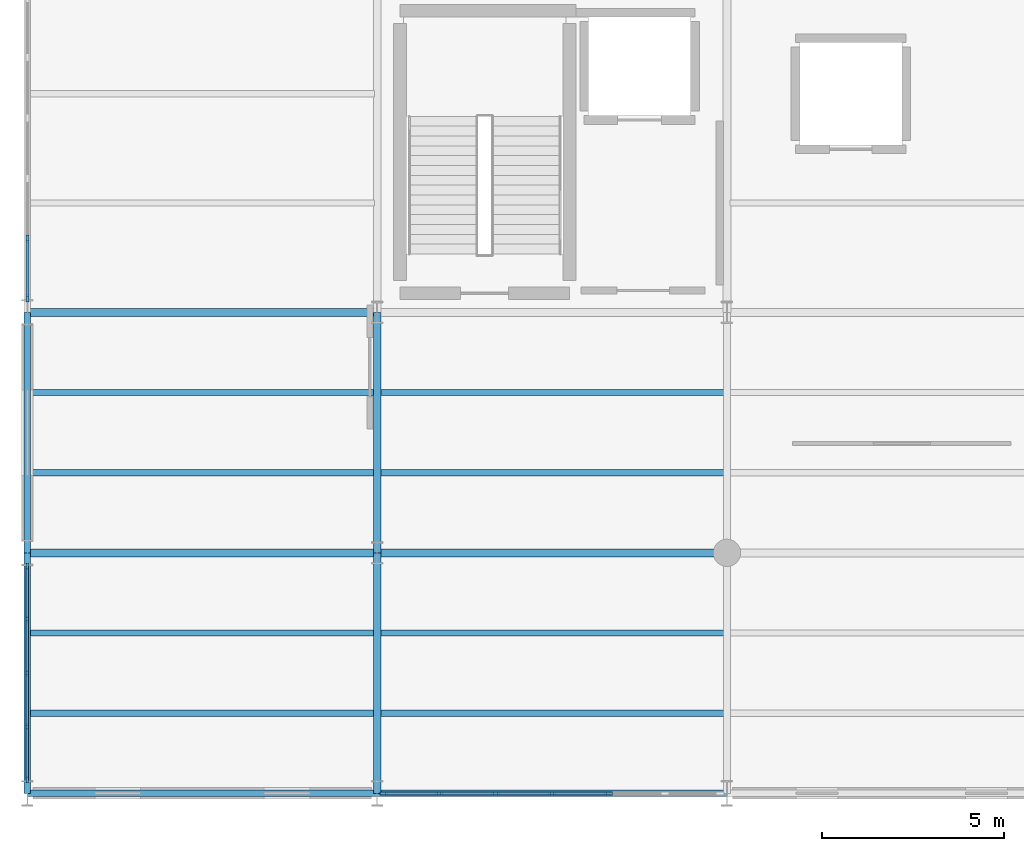
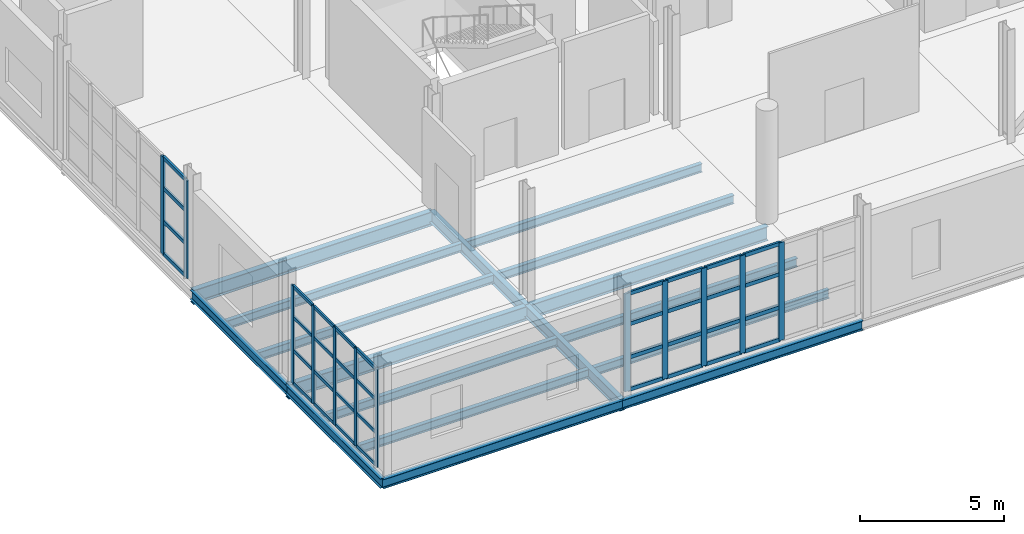
# One storey, part 15 of 120: 48 members, 17 beams, 3 elements without a shape of their own.
"""IFC4 building model written with IfcOpenShell, lengths in metres."""

from ifc_helpers import new_model, si_unit, direction, frame, origin, origin_2d, place, context, subcontext, project, spatial, rectangle, i_section, extrude, material, layer, layer_set, material_profile, profile_set, type_object, element, aggregate, save


model = new_model("IFC4")

# Units and contexts
model_context = context("Model", 3, precision=1e-05, world=origin(), true_north=direction((0.0, 1.0)))
body_context = subcontext(model_context, "Body", "Model", "MODEL_VIEW")
ifc_project = project(units=[si_unit("LENGTHUNIT", "METRE"), si_unit("AREAUNIT", "SQUARE_METRE"), si_unit("VOLUMEUNIT", "CUBIC_METRE"), si_unit("PLANEANGLEUNIT", "RADIAN"), si_unit("MASSUNIT", "GRAM", prefix="KILO")], contexts=[model_context])

# Site, building, storey
site_placement = place(None, origin())
site = spatial("IfcSite", under=ifc_project, at=site_placement, CompositionType="ELEMENT")
building_placement = place(site_placement, origin())
building = spatial("IfcBuilding", under=site, at=building_placement, Name="Zarnetskaya Central Station", CompositionType="ELEMENT")
storey_placement = place(building_placement, frame((0.0, 0.0, 5.39990234375)))
storey = spatial("IfcBuildingStorey", under=building, at=storey_placement, Name="L01", CompositionType="ELEMENT", Elevation=5.39990234375)

# Beams
ifc_material_1 = material(Name="Steel S355", Category="steel")
ifc_material_profile_1 = material_profile(ifc_material_1, i_section(OverallWidth=0.169921875, OverallDepth=0.360107421875, WebThickness=0.008056640625, FlangeThickness=0.0126953125, FilletRadius=0.01806640625, at=origin_2d()), Name="IPE 360")
ifc_profile_set_1 = profile_set([ifc_material_profile_1], Name="Steel S355")
beam_type_1 = type_object("IfcBeamType", Name="BM-SEC-360", PredefinedType="BEAM", material=ifc_profile_set_1)
for number, where, z_axis, x_axis, name in (
    (1, (0.080078125, 2.199951171875, -0.4599609375), (1.0, 0.0, 0.0), (0.0, 1.0, 0.0), "Secondary floor beam SEC-L01-Z512-AB-12-1"),
    (2, (0.080078125, 4.39990234375, -0.4599609375), (1.0, 0.0, 0.0), (0.0, 1.0, 0.0), "Secondary floor beam SEC-L01-Z512-AB-12-2"),
    (3, (0.080078125, 8.800048828125, -0.4599609375), (1.0, 0.0, 0.0), (0.0, 1.0, 0.0), "Secondary floor beam SEC-L01-Z512-AB-23-1"),
    (4, (0.080078125, 11.0, -0.4599609375), (1.0, 0.0, 0.0), (0.0, 1.0, 0.0), "Secondary floor beam SEC-L01-Z512-AB-23-2"),
):
    element("IfcBeam", number, at=place(storey_placement, frame(where, z_axis=z_axis, x_axis=x_axis)), inside=storey, type_object=beam_type_1, Name=name, PredefinedType="BEAM", context=body_context, shape_type="SweptSolid", body=[
        extrude(i_section(OverallWidth=0.169921875, OverallDepth=0.360107421875, WebThickness=0.008056640625, FlangeThickness=0.0126953125, FilletRadius=0.01806640625, at=origin_2d()), origin(), (0.0, 0.0, 1.0), 9.43994140625),
    ])
for number, where, z_axis, x_axis, name in (
    (5, (9.679931640625, 2.199951171875, -0.4599609375), (1.0, 0.0, 0.0), (0.0, 1.0, 0.0), "Secondary floor beam SEC-L01-Z512-BC-12-1"),
    (6, (9.679931640625, 4.39990234375, -0.4599609375), (1.0, 0.0, 0.0), (0.0, 1.0, 0.0), "Secondary floor beam SEC-L01-Z512-BC-12-2"),
    (7, (9.679931640625, 8.800048828125, -0.4599609375), (1.0, 0.0, 0.0), (0.0, 1.0, 0.0), "Secondary floor beam SEC-L01-Z512-BC-23-1"),
    (8, (9.679931640625, 11.0, -0.4599609375), (1.0, 0.0, 0.0), (0.0, 1.0, 0.0), "Secondary floor beam SEC-L01-Z512-BC-23-2"),
):
    element("IfcBeam", number, at=place(storey_placement, frame(where, z_axis=z_axis, x_axis=x_axis)), inside=storey, type_object=beam_type_1, Name=name, PredefinedType="BEAM", context=body_context, shape_type="SweptSolid", body=[
        extrude(i_section(OverallWidth=0.169921875, OverallDepth=0.360107421875, WebThickness=0.008056640625, FlangeThickness=0.0126953125, FilletRadius=0.01806640625, at=origin_2d()), origin(), (0.0, 0.0, 1.0), 9.440185546875),
    ])
ifc_material_profile_2 = material_profile(ifc_material_1, i_section(OverallWidth=0.179931640625, OverallDepth=0.39990234375, WebThickness=0.008544921875, FlangeThickness=0.013427734375, FilletRadius=0.02099609375, at=origin_2d()), Name="IPE 400")
ifc_profile_set_2 = profile_set([ifc_material_profile_2], Name="Steel S355")
beam_type_2 = type_object("IfcBeamType", Name="BM-SPN-V5", PredefinedType="SPANDREL", material=ifc_profile_set_2)
beam_1_placement = place(storey_placement, frame((0.0, 0.0, -0.47998046875), z_axis=(0.0, 1.0, 0.0), x_axis=(-1.0, 0.0, 0.0)))
element("IfcBeam", 9, at=beam_1_placement, inside=storey, type_object=beam_type_2, Name="Grid girder GY-L01-A-12", PredefinedType="SPANDREL", context=body_context, shape_type="SweptSolid", body=[
    extrude(i_section(OverallWidth=0.179931640625, OverallDepth=0.39990234375, WebThickness=0.008544921875, FlangeThickness=0.013427734375, FilletRadius=0.02099609375, at=origin_2d()), origin(), (0.0, 0.0, 1.0), 6.60009765625),
])
beam_2_placement = place(storey_placement, frame((0.0, 0.0, -0.47998046875), z_axis=(1.0, 0.0, 0.0), x_axis=(0.0, 1.0, 0.0)))
element("IfcBeam", 10, at=beam_2_placement, inside=storey, type_object=beam_type_2, Name="Grid girder GX-L01-1-AB", PredefinedType="SPANDREL", context=body_context, shape_type="SweptSolid", body=[
    extrude(i_section(OverallWidth=0.179931640625, OverallDepth=0.39990234375, WebThickness=0.008544921875, FlangeThickness=0.013427734375, FilletRadius=0.02099609375, at=origin_2d()), origin(), (0.0, 0.0, 1.0), 9.60009765625),
])
beam_3_placement = place(storey_placement, frame((0.0, 6.60009765625, -0.47998046875), z_axis=(0.0, 1.0, 0.0), x_axis=(-1.0, 0.0, 0.0)))
element("IfcBeam", 11, at=beam_3_placement, inside=storey, type_object=beam_type_2, Name="Grid girder GY-L01-A-23", PredefinedType="SPANDREL", context=body_context, shape_type="SweptSolid", body=[
    extrude(i_section(OverallWidth=0.179931640625, OverallDepth=0.39990234375, WebThickness=0.008544921875, FlangeThickness=0.013427734375, FilletRadius=0.02099609375, at=origin_2d()), origin(), (0.0, 0.0, 1.0), 6.599853515625),
])
beam_4_placement = place(storey_placement, frame((9.60009765625, 0.0, -0.47998046875), z_axis=(1.0, 0.0, 0.0), x_axis=(0.0, 1.0, 0.0)))
element("IfcBeam", 12, at=beam_4_placement, inside=storey, type_object=beam_type_2, Name="Grid girder GX-L01-1-BC", PredefinedType="SPANDREL", context=body_context, shape_type="SweptSolid", body=[
    extrude(i_section(OverallWidth=0.179931640625, OverallDepth=0.39990234375, WebThickness=0.008544921875, FlangeThickness=0.013427734375, FilletRadius=0.02099609375, at=origin_2d()), origin(), (0.0, 0.0, 1.0), 9.599853515625),
])

# Curtain wall, members
ifc_material_2 = material(Name="Low-E insulated glass", Category="glass")
ifc_layer_1 = layer(ifc_material_2, 0.16796875, Name="Low-E insulated glass", Category="glass")
ifc_layer_set_1 = layer_set([ifc_layer_1], Name="Low-E insulated glass")
curtain_wall_type_1 = type_object("IfcCurtainWallType", Name="CW-SYS-03", PredefinedType="USERDEFINED", material=ifc_layer_set_1)
curtain_wall_1_placement = place(storey_placement, origin())
curtain_wall_1 = element("IfcCurtainWall", 13, at=curtain_wall_1_placement, inside=storey, type_object=curtain_wall_type_1, Name="Curtain wall CW-L01-001", ObjectType="CURTAIN WALL", PredefinedType="USERDEFINED")
ifc_material_3 = material(Name="Anodised aluminium", Category="aluminium")
ifc_material_profile_3 = material_profile(ifc_material_3, rectangle(XDim=0.070068359375, YDim=0.179931640625, at=origin_2d()), Name="ALU MULL 70x180")
ifc_profile_set_3 = profile_set([ifc_material_profile_3], Name="Anodised aluminium")
member_type_1 = type_object("IfcMemberType", Name="CW-MULL-180", PredefinedType="MULLION", material=ifc_profile_set_3)
member_1_placement = place(storey_placement, frame((0.0, 0.385009765625, 0.0), z_axis=(0.0, 0.0, 1.0), x_axis=(-1.0, 0.0, 0.0)))
member_1 = element("IfcMember", 14, at=member_1_placement, type_object=member_type_1, Name="CW-12 mullion 1", PredefinedType="MULLION", context=body_context, shape_type="SweptSolid", body=[
    extrude(rectangle(XDim=0.070068359375, YDim=0.179931640625, at=origin_2d()), origin(), (0.0, 0.0, 1.0), 4.14013671875),
])
member_2_placement = place(storey_placement, frame((0.0, 1.824951171875, 0.0), z_axis=(0.0, 0.0, 1.0), x_axis=(-1.0, 0.0, 0.0)))
member_2 = element("IfcMember", 15, at=member_2_placement, type_object=member_type_1, Name="CW-12 mullion 2", PredefinedType="MULLION", context=body_context, shape_type="SweptSolid", body=[
    extrude(rectangle(XDim=0.070068359375, YDim=0.179931640625, at=origin_2d()), origin(), (0.0, 0.0, 1.0), 4.14013671875),
])
member_3_placement = place(storey_placement, frame((0.0, 3.300048828125, 0.0), z_axis=(0.0, 0.0, 1.0), x_axis=(-1.0, 0.0, 0.0)))
member_3 = element("IfcMember", 16, at=member_3_placement, type_object=member_type_1, Name="CW-12 mullion 3", PredefinedType="MULLION", context=body_context, shape_type="SweptSolid", body=[
    extrude(rectangle(XDim=0.070068359375, YDim=0.179931640625, at=origin_2d()), origin(), (0.0, 0.0, 1.0), 4.14013671875),
])
member_4_placement = place(storey_placement, frame((0.0, 4.77490234375, 0.0), z_axis=(0.0, 0.0, 1.0), x_axis=(-1.0, 0.0, 0.0)))
member_4 = element("IfcMember", 17, at=member_4_placement, type_object=member_type_1, Name="CW-12 mullion 4", PredefinedType="MULLION", context=body_context, shape_type="SweptSolid", body=[
    extrude(rectangle(XDim=0.070068359375, YDim=0.179931640625, at=origin_2d()), origin(), (0.0, 0.0, 1.0), 4.14013671875),
])
member_5_placement = place(storey_placement, frame((0.0, 6.215087890625, 0.0), z_axis=(0.0, 0.0, 1.0), x_axis=(-1.0, 0.0, 0.0)))
member_5 = element("IfcMember", 18, at=member_5_placement, type_object=member_type_1, Name="CW-12 mullion 5", PredefinedType="MULLION", context=body_context, shape_type="SweptSolid", body=[
    extrude(rectangle(XDim=0.070068359375, YDim=0.179931640625, at=origin_2d()), origin(), (0.0, 0.0, 1.0), 4.14013671875),
])

ifc_layer_2 = layer(ifc_material_2, 0.176025390625, Name="Low-E insulated glass", Category="glass")
ifc_layer_set_2 = layer_set([ifc_layer_2], Name="Low-E insulated glass")
curtain_wall_type_2 = type_object("IfcCurtainWallType", Name="CW-SYS-05", PredefinedType="USERDEFINED", material=ifc_layer_set_2)
curtain_wall_2_placement = place(storey_placement, origin())
curtain_wall_2 = element("IfcCurtainWall", 19, at=curtain_wall_2_placement, inside=storey, type_object=curtain_wall_type_2, Name="Curtain wall CW-L01-002", ObjectType="CURTAIN WALL", PredefinedType="USERDEFINED")
ifc_material_profile_4 = material_profile(ifc_material_3, rectangle(XDim=0.080078125, YDim=0.219970703125, at=origin_2d()), Name="ALU MULL 80x220")
ifc_profile_set_4 = profile_set([ifc_material_profile_4], Name="Anodised aluminium")
member_type_2 = type_object("IfcMemberType", Name="CW-MULL-220", PredefinedType="MULLION", material=ifc_profile_set_4)
member_6_placement = place(storey_placement, frame((0.0, 13.590087890625, 0.0), z_axis=(0.0, 0.0, 1.0), x_axis=(-1.0, 0.0, 0.0)))
member_6 = element("IfcMember", 20, at=member_6_placement, type_object=member_type_2, Name="CW-14 mullion 1", PredefinedType="MULLION", context=body_context, shape_type="SweptSolid", body=[
    extrude(rectangle(XDim=0.080078125, YDim=0.219970703125, at=origin_2d()), origin(), (0.0, 0.0, 1.0), 4.14013671875),
])
member_7_placement = place(storey_placement, frame((0.0, 15.2099609375, 0.0), z_axis=(0.0, 0.0, 1.0), x_axis=(-1.0, 0.0, 0.0)))
member_7 = element("IfcMember", 21, at=member_7_placement, type_object=member_type_2, Name="CW-14 mullion 2", PredefinedType="MULLION", context=body_context, shape_type="SweptSolid", body=[
    extrude(rectangle(XDim=0.080078125, YDim=0.219970703125, at=origin_2d()), origin(), (0.0, 0.0, 1.0), 4.14013671875),
])

ifc_layer_3 = layer(ifc_material_2, 0.1640625, Name="Low-E insulated glass", Category="glass")
ifc_layer_set_3 = layer_set([ifc_layer_3], Name="Low-E insulated glass")
curtain_wall_type_3 = type_object("IfcCurtainWallType", Name="CW-SYS-07", PredefinedType="USERDEFINED", material=ifc_layer_set_3)
curtain_wall_3_placement = place(storey_placement, origin())
curtain_wall_3 = element("IfcCurtainWall", 22, at=curtain_wall_3_placement, inside=storey, type_object=curtain_wall_type_3, Name="Curtain wall CW-L01-014", ObjectType="CURTAIN WALL", PredefinedType="USERDEFINED")
member_8_placement = place(storey_placement, frame((15.949951171875, 0.0, 0.0), z_axis=(0.0, 0.0, 1.0), x_axis=(0.0, -1.0, 0.0)))
member_8 = element("IfcMember", 23, at=member_8_placement, type_object=member_type_2, Name="CW-06 mullion 3", PredefinedType="MULLION", context=body_context, shape_type="SweptSolid", body=[
    extrude(rectangle(XDim=0.080078125, YDim=0.219970703125, at=origin_2d()), origin(), (0.0, 0.0, 1.0), 4.14013671875),
])
member_9_placement = place(storey_placement, frame((14.39990234375, 0.0, 0.0), z_axis=(0.0, 0.0, 1.0), x_axis=(0.0, -1.0, 0.0)))
member_9 = element("IfcMember", 24, at=member_9_placement, type_object=member_type_2, Name="CW-06 mullion 4", PredefinedType="MULLION", context=body_context, shape_type="SweptSolid", body=[
    extrude(rectangle(XDim=0.080078125, YDim=0.219970703125, at=origin_2d()), origin(), (0.0, 0.0, 1.0), 4.14013671875),
])
member_10_placement = place(storey_placement, frame((12.85009765625, 0.0, 0.0), z_axis=(0.0, 0.0, 1.0), x_axis=(0.0, -1.0, 0.0)))
member_10 = element("IfcMember", 25, at=member_10_placement, type_object=member_type_2, Name="CW-06 mullion 5", PredefinedType="MULLION", context=body_context, shape_type="SweptSolid", body=[
    extrude(rectangle(XDim=0.080078125, YDim=0.219970703125, at=origin_2d()), origin(), (0.0, 0.0, 1.0), 4.14013671875),
])
member_11_placement = place(storey_placement, frame((11.300048828125, 0.0, 0.0), z_axis=(0.0, 0.0, 1.0), x_axis=(0.0, -1.0, 0.0)))
member_11 = element("IfcMember", 26, at=member_11_placement, type_object=member_type_2, Name="CW-06 mullion 6", PredefinedType="MULLION", context=body_context, shape_type="SweptSolid", body=[
    extrude(rectangle(XDim=0.080078125, YDim=0.219970703125, at=origin_2d()), origin(), (0.0, 0.0, 1.0), 4.14013671875),
])
member_12_placement = place(storey_placement, frame((9.7900390625, 0.0, 0.0), z_axis=(0.0, 0.0, 1.0), x_axis=(0.0, -1.0, 0.0)))
member_12 = element("IfcMember", 27, at=member_12_placement, type_object=member_type_2, Name="CW-06 mullion 7", PredefinedType="MULLION", context=body_context, shape_type="SweptSolid", body=[
    extrude(rectangle(XDim=0.080078125, YDim=0.219970703125, at=origin_2d()), origin(), (0.0, 0.0, 1.0), 4.14013671875),
])

# Member
ifc_material_profile_5 = material_profile(ifc_material_3, rectangle(XDim=0.070068359375, YDim=0.139892578125, at=origin_2d()), Name="ALU TRAN 70x140")
ifc_profile_set_5 = profile_set([ifc_material_profile_5], Name="Anodised aluminium")
member_type_3 = type_object("IfcMemberType", Name="CW-TRAN-140", PredefinedType="USERDEFINED", material=ifc_profile_set_5)
member_13_placement = place(storey_placement, frame((0.0, 0.419921875, 0.03515625), z_axis=(0.0, 1.0, 0.0), x_axis=(-1.0, 0.0, 0.0)))
member_13 = element("IfcMember", 28, at=member_13_placement, type_object=member_type_3, Name="CW-12 transom 1.1", ObjectType="TRANSOM", PredefinedType="USERDEFINED", context=body_context, shape_type="SweptSolid", body=[
    extrude(rectangle(XDim=0.070068359375, YDim=0.139892578125, at=origin_2d()), origin(), (0.0, 0.0, 1.0), 1.3701171875),
])

member_14_placement = place(storey_placement, frame((0.0, 0.419921875, 1.408203125), z_axis=(0.0, 1.0, 0.0), x_axis=(-1.0, 0.0, 0.0)))
member_14 = element("IfcMember", 29, at=member_14_placement, type_object=member_type_3, Name="CW-12 transom 1.2", ObjectType="TRANSOM", PredefinedType="USERDEFINED", context=body_context, shape_type="SweptSolid", body=[
    extrude(rectangle(XDim=0.070068359375, YDim=0.139892578125, at=origin_2d()), origin(), (0.0, 0.0, 1.0), 1.3701171875),
])

member_15_placement = place(storey_placement, frame((0.0, 0.419921875, 2.815185546875), z_axis=(0.0, 1.0, 0.0), x_axis=(-1.0, 0.0, 0.0)))
member_15 = element("IfcMember", 30, at=member_15_placement, type_object=member_type_3, Name="CW-12 transom 1.3", ObjectType="TRANSOM", PredefinedType="USERDEFINED", context=body_context, shape_type="SweptSolid", body=[
    extrude(rectangle(XDim=0.070068359375, YDim=0.139892578125, at=origin_2d()), origin(), (0.0, 0.0, 1.0), 1.3701171875),
])

member_16_placement = place(storey_placement, frame((0.0, 0.419921875, 4.10498046875), z_axis=(0.0, 1.0, 0.0), x_axis=(-1.0, 0.0, 0.0)))
member_16 = element("IfcMember", 31, at=member_16_placement, type_object=member_type_3, Name="CW-12 transom 1.4", ObjectType="TRANSOM", PredefinedType="USERDEFINED", context=body_context, shape_type="SweptSolid", body=[
    extrude(rectangle(XDim=0.070068359375, YDim=0.139892578125, at=origin_2d()), origin(), (0.0, 0.0, 1.0), 1.3701171875),
])

member_17_placement = place(storey_placement, frame((0.0, 1.860107421875, 0.03515625), z_axis=(0.0, 1.0, 0.0), x_axis=(-1.0, 0.0, 0.0)))
member_17 = element("IfcMember", 32, at=member_17_placement, type_object=member_type_3, Name="CW-12 transom 2.1", ObjectType="TRANSOM", PredefinedType="USERDEFINED", context=body_context, shape_type="SweptSolid", body=[
    extrude(rectangle(XDim=0.070068359375, YDim=0.139892578125, at=origin_2d()), origin(), (0.0, 0.0, 1.0), 1.40478515625),
])

member_18_placement = place(storey_placement, frame((0.0, 1.860107421875, 1.408203125), z_axis=(0.0, 1.0, 0.0), x_axis=(-1.0, 0.0, 0.0)))
member_18 = element("IfcMember", 33, at=member_18_placement, type_object=member_type_3, Name="CW-12 transom 2.2", ObjectType="TRANSOM", PredefinedType="USERDEFINED", context=body_context, shape_type="SweptSolid", body=[
    extrude(rectangle(XDim=0.070068359375, YDim=0.139892578125, at=origin_2d()), origin(), (0.0, 0.0, 1.0), 1.40478515625),
])

member_19_placement = place(storey_placement, frame((0.0, 1.860107421875, 2.815185546875), z_axis=(0.0, 1.0, 0.0), x_axis=(-1.0, 0.0, 0.0)))
member_19 = element("IfcMember", 34, at=member_19_placement, type_object=member_type_3, Name="CW-12 transom 2.3", ObjectType="TRANSOM", PredefinedType="USERDEFINED", context=body_context, shape_type="SweptSolid", body=[
    extrude(rectangle(XDim=0.070068359375, YDim=0.139892578125, at=origin_2d()), origin(), (0.0, 0.0, 1.0), 1.40478515625),
])

member_20_placement = place(storey_placement, frame((0.0, 1.860107421875, 4.10498046875), z_axis=(0.0, 1.0, 0.0), x_axis=(-1.0, 0.0, 0.0)))
member_20 = element("IfcMember", 35, at=member_20_placement, type_object=member_type_3, Name="CW-12 transom 2.4", ObjectType="TRANSOM", PredefinedType="USERDEFINED", context=body_context, shape_type="SweptSolid", body=[
    extrude(rectangle(XDim=0.070068359375, YDim=0.139892578125, at=origin_2d()), origin(), (0.0, 0.0, 1.0), 1.40478515625),
])

member_21_placement = place(storey_placement, frame((0.0, 3.3349609375, 0.03515625), z_axis=(0.0, 1.0, 0.0), x_axis=(-1.0, 0.0, 0.0)))
member_21 = element("IfcMember", 36, at=member_21_placement, type_object=member_type_3, Name="CW-12 transom 3.1", ObjectType="TRANSOM", PredefinedType="USERDEFINED", context=body_context, shape_type="SweptSolid", body=[
    extrude(rectangle(XDim=0.070068359375, YDim=0.139892578125, at=origin_2d()), origin(), (0.0, 0.0, 1.0), 1.405029296875),
])

member_22_placement = place(storey_placement, frame((0.0, 3.3349609375, 1.408203125), z_axis=(0.0, 1.0, 0.0), x_axis=(-1.0, 0.0, 0.0)))
member_22 = element("IfcMember", 37, at=member_22_placement, type_object=member_type_3, Name="CW-12 transom 3.2", ObjectType="TRANSOM", PredefinedType="USERDEFINED", context=body_context, shape_type="SweptSolid", body=[
    extrude(rectangle(XDim=0.070068359375, YDim=0.139892578125, at=origin_2d()), origin(), (0.0, 0.0, 1.0), 1.405029296875),
])

member_23_placement = place(storey_placement, frame((0.0, 3.3349609375, 2.815185546875), z_axis=(0.0, 1.0, 0.0), x_axis=(-1.0, 0.0, 0.0)))
member_23 = element("IfcMember", 38, at=member_23_placement, type_object=member_type_3, Name="CW-12 transom 3.3", ObjectType="TRANSOM", PredefinedType="USERDEFINED", context=body_context, shape_type="SweptSolid", body=[
    extrude(rectangle(XDim=0.070068359375, YDim=0.139892578125, at=origin_2d()), origin(), (0.0, 0.0, 1.0), 1.405029296875),
])

member_24_placement = place(storey_placement, frame((0.0, 3.3349609375, 4.10498046875), z_axis=(0.0, 1.0, 0.0), x_axis=(-1.0, 0.0, 0.0)))
member_24 = element("IfcMember", 39, at=member_24_placement, type_object=member_type_3, Name="CW-12 transom 3.4", ObjectType="TRANSOM", PredefinedType="USERDEFINED", context=body_context, shape_type="SweptSolid", body=[
    extrude(rectangle(XDim=0.070068359375, YDim=0.139892578125, at=origin_2d()), origin(), (0.0, 0.0, 1.0), 1.405029296875),
])

member_25_placement = place(storey_placement, frame((0.0, 4.81005859375, 0.03515625), z_axis=(0.0, 1.0, 0.0), x_axis=(-1.0, 0.0, 0.0)))
member_25 = element("IfcMember", 40, at=member_25_placement, type_object=member_type_3, Name="CW-12 transom 4.1", ObjectType="TRANSOM", PredefinedType="USERDEFINED", context=body_context, shape_type="SweptSolid", body=[
    extrude(rectangle(XDim=0.070068359375, YDim=0.139892578125, at=origin_2d()), origin(), (0.0, 0.0, 1.0), 1.369873046875),
])

member_26_placement = place(storey_placement, frame((0.0, 4.81005859375, 1.408203125), z_axis=(0.0, 1.0, 0.0), x_axis=(-1.0, 0.0, 0.0)))
member_26 = element("IfcMember", 41, at=member_26_placement, type_object=member_type_3, Name="CW-12 transom 4.2", ObjectType="TRANSOM", PredefinedType="USERDEFINED", context=body_context, shape_type="SweptSolid", body=[
    extrude(rectangle(XDim=0.070068359375, YDim=0.139892578125, at=origin_2d()), origin(), (0.0, 0.0, 1.0), 1.369873046875),
])

member_27_placement = place(storey_placement, frame((0.0, 4.81005859375, 2.815185546875), z_axis=(0.0, 1.0, 0.0), x_axis=(-1.0, 0.0, 0.0)))
member_27 = element("IfcMember", 42, at=member_27_placement, type_object=member_type_3, Name="CW-12 transom 4.3", ObjectType="TRANSOM", PredefinedType="USERDEFINED", context=body_context, shape_type="SweptSolid", body=[
    extrude(rectangle(XDim=0.070068359375, YDim=0.139892578125, at=origin_2d()), origin(), (0.0, 0.0, 1.0), 1.369873046875),
])

member_28_placement = place(storey_placement, frame((0.0, 4.81005859375, 4.10498046875), z_axis=(0.0, 1.0, 0.0), x_axis=(-1.0, 0.0, 0.0)))
member_28 = element("IfcMember", 43, at=member_28_placement, type_object=member_type_3, Name="CW-12 transom 4.4", ObjectType="TRANSOM", PredefinedType="USERDEFINED", context=body_context, shape_type="SweptSolid", body=[
    extrude(rectangle(XDim=0.070068359375, YDim=0.139892578125, at=origin_2d()), origin(), (0.0, 0.0, 1.0), 1.369873046875),
])

aggregate(curtain_wall_1, [member_1, member_2, member_3, member_4, member_5, member_13, member_14, member_15, member_16, member_17, member_18, member_19, member_20, member_21, member_22, member_23, member_24, member_25, member_26, member_27, member_28])

ifc_material_profile_6 = material_profile(ifc_material_3, rectangle(XDim=0.080078125, YDim=0.159912109375, at=origin_2d()), Name="ALU TRAN 80x160")
ifc_profile_set_6 = profile_set([ifc_material_profile_6], Name="Anodised aluminium")
member_type_4 = type_object("IfcMemberType", Name="CW-TRAN-160", PredefinedType="USERDEFINED", material=ifc_profile_set_6)
member_29_placement = place(storey_placement, frame((0.0, 13.6298828125, 0.0400390625), z_axis=(0.0, 1.0, 0.0), x_axis=(-1.0, 0.0, 0.0)))
member_29 = element("IfcMember", 44, at=member_29_placement, type_object=member_type_4, Name="CW-14 transom 1.1", ObjectType="TRANSOM", PredefinedType="USERDEFINED", context=body_context, shape_type="SweptSolid", body=[
    extrude(rectangle(XDim=0.080078125, YDim=0.159912109375, at=origin_2d()), origin(), (0.0, 0.0, 1.0), 1.5400390625),
])

member_30_placement = place(storey_placement, frame((0.0, 13.6298828125, 1.408203125), z_axis=(0.0, 1.0, 0.0), x_axis=(-1.0, 0.0, 0.0)))
member_30 = element("IfcMember", 45, at=member_30_placement, type_object=member_type_4, Name="CW-14 transom 1.2", ObjectType="TRANSOM", PredefinedType="USERDEFINED", context=body_context, shape_type="SweptSolid", body=[
    extrude(rectangle(XDim=0.080078125, YDim=0.159912109375, at=origin_2d()), origin(), (0.0, 0.0, 1.0), 1.5400390625),
])

member_31_placement = place(storey_placement, frame((0.0, 13.6298828125, 2.815185546875), z_axis=(0.0, 1.0, 0.0), x_axis=(-1.0, 0.0, 0.0)))
member_31 = element("IfcMember", 46, at=member_31_placement, type_object=member_type_4, Name="CW-14 transom 1.3", ObjectType="TRANSOM", PredefinedType="USERDEFINED", context=body_context, shape_type="SweptSolid", body=[
    extrude(rectangle(XDim=0.080078125, YDim=0.159912109375, at=origin_2d()), origin(), (0.0, 0.0, 1.0), 1.5400390625),
])

member_32_placement = place(storey_placement, frame((0.0, 13.6298828125, 4.10009765625), z_axis=(0.0, 1.0, 0.0), x_axis=(-1.0, 0.0, 0.0)))
member_32 = element("IfcMember", 47, at=member_32_placement, type_object=member_type_4, Name="CW-14 transom 1.4", ObjectType="TRANSOM", PredefinedType="USERDEFINED", context=body_context, shape_type="SweptSolid", body=[
    extrude(rectangle(XDim=0.080078125, YDim=0.159912109375, at=origin_2d()), origin(), (0.0, 0.0, 1.0), 1.5400390625),
])

aggregate(curtain_wall_2, [member_6, member_7, member_29, member_30, member_31, member_32])

member_33_placement = place(storey_placement, frame((15.909912109375, 0.0, 0.0400390625), z_axis=(-1.0, 0.0, 0.0), x_axis=(0.0, -1.0, 0.0)))
member_33 = element("IfcMember", 48, at=member_33_placement, type_object=member_type_4, Name="CW-06 transom 3.1", ObjectType="TRANSOM", PredefinedType="USERDEFINED", context=body_context, shape_type="SweptSolid", body=[
    extrude(rectangle(XDim=0.080078125, YDim=0.159912109375, at=origin_2d()), origin(), (0.0, 0.0, 1.0), 1.469970703125),
])

member_34_placement = place(storey_placement, frame((15.909912109375, 0.0, 1.408203125), z_axis=(-1.0, 0.0, 0.0), x_axis=(0.0, -1.0, 0.0)))
member_34 = element("IfcMember", 49, at=member_34_placement, type_object=member_type_4, Name="CW-06 transom 3.2", ObjectType="TRANSOM", PredefinedType="USERDEFINED", context=body_context, shape_type="SweptSolid", body=[
    extrude(rectangle(XDim=0.080078125, YDim=0.159912109375, at=origin_2d()), origin(), (0.0, 0.0, 1.0), 1.469970703125),
])

member_35_placement = place(storey_placement, frame((15.909912109375, 0.0, 2.815185546875), z_axis=(-1.0, 0.0, 0.0), x_axis=(0.0, -1.0, 0.0)))
member_35 = element("IfcMember", 50, at=member_35_placement, type_object=member_type_4, Name="CW-06 transom 3.3", ObjectType="TRANSOM", PredefinedType="USERDEFINED", context=body_context, shape_type="SweptSolid", body=[
    extrude(rectangle(XDim=0.080078125, YDim=0.159912109375, at=origin_2d()), origin(), (0.0, 0.0, 1.0), 1.469970703125),
])

member_36_placement = place(storey_placement, frame((15.909912109375, 0.0, 4.10009765625), z_axis=(-1.0, 0.0, 0.0), x_axis=(0.0, -1.0, 0.0)))
member_36 = element("IfcMember", 51, at=member_36_placement, type_object=member_type_4, Name="CW-06 transom 3.4", ObjectType="TRANSOM", PredefinedType="USERDEFINED", context=body_context, shape_type="SweptSolid", body=[
    extrude(rectangle(XDim=0.080078125, YDim=0.159912109375, at=origin_2d()), origin(), (0.0, 0.0, 1.0), 1.469970703125),
])

member_37_placement = place(storey_placement, frame((14.360107421875, 0.0, 0.0400390625), z_axis=(-1.0, 0.0, 0.0), x_axis=(0.0, -1.0, 0.0)))
member_37 = element("IfcMember", 52, at=member_37_placement, type_object=member_type_4, Name="CW-06 transom 4.1", ObjectType="TRANSOM", PredefinedType="USERDEFINED", context=body_context, shape_type="SweptSolid", body=[
    extrude(rectangle(XDim=0.080078125, YDim=0.159912109375, at=origin_2d()), origin(), (0.0, 0.0, 1.0), 1.47021484375),
])

member_38_placement = place(storey_placement, frame((14.360107421875, 0.0, 1.408203125), z_axis=(-1.0, 0.0, 0.0), x_axis=(0.0, -1.0, 0.0)))
member_38 = element("IfcMember", 53, at=member_38_placement, type_object=member_type_4, Name="CW-06 transom 4.2", ObjectType="TRANSOM", PredefinedType="USERDEFINED", context=body_context, shape_type="SweptSolid", body=[
    extrude(rectangle(XDim=0.080078125, YDim=0.159912109375, at=origin_2d()), origin(), (0.0, 0.0, 1.0), 1.47021484375),
])

member_39_placement = place(storey_placement, frame((14.360107421875, 0.0, 2.815185546875), z_axis=(-1.0, 0.0, 0.0), x_axis=(0.0, -1.0, 0.0)))
member_39 = element("IfcMember", 54, at=member_39_placement, type_object=member_type_4, Name="CW-06 transom 4.3", ObjectType="TRANSOM", PredefinedType="USERDEFINED", context=body_context, shape_type="SweptSolid", body=[
    extrude(rectangle(XDim=0.080078125, YDim=0.159912109375, at=origin_2d()), origin(), (0.0, 0.0, 1.0), 1.47021484375),
])

member_40_placement = place(storey_placement, frame((14.360107421875, 0.0, 4.10009765625), z_axis=(-1.0, 0.0, 0.0), x_axis=(0.0, -1.0, 0.0)))
member_40 = element("IfcMember", 55, at=member_40_placement, type_object=member_type_4, Name="CW-06 transom 4.4", ObjectType="TRANSOM", PredefinedType="USERDEFINED", context=body_context, shape_type="SweptSolid", body=[
    extrude(rectangle(XDim=0.080078125, YDim=0.159912109375, at=origin_2d()), origin(), (0.0, 0.0, 1.0), 1.47021484375),
])

member_41_placement = place(storey_placement, frame((12.81005859375, 0.0, 0.0400390625), z_axis=(-1.0, 0.0, 0.0), x_axis=(0.0, -1.0, 0.0)))
member_41 = element("IfcMember", 56, at=member_41_placement, type_object=member_type_4, Name="CW-06 transom 5.1", ObjectType="TRANSOM", PredefinedType="USERDEFINED", context=body_context, shape_type="SweptSolid", body=[
    extrude(rectangle(XDim=0.080078125, YDim=0.159912109375, at=origin_2d()), origin(), (0.0, 0.0, 1.0), 1.469970703125),
])

member_42_placement = place(storey_placement, frame((12.81005859375, 0.0, 1.408203125), z_axis=(-1.0, 0.0, 0.0), x_axis=(0.0, -1.0, 0.0)))
member_42 = element("IfcMember", 57, at=member_42_placement, type_object=member_type_4, Name="CW-06 transom 5.2", ObjectType="TRANSOM", PredefinedType="USERDEFINED", context=body_context, shape_type="SweptSolid", body=[
    extrude(rectangle(XDim=0.080078125, YDim=0.159912109375, at=origin_2d()), origin(), (0.0, 0.0, 1.0), 1.469970703125),
])

member_43_placement = place(storey_placement, frame((12.81005859375, 0.0, 2.815185546875), z_axis=(-1.0, 0.0, 0.0), x_axis=(0.0, -1.0, 0.0)))
member_43 = element("IfcMember", 58, at=member_43_placement, type_object=member_type_4, Name="CW-06 transom 5.3", ObjectType="TRANSOM", PredefinedType="USERDEFINED", context=body_context, shape_type="SweptSolid", body=[
    extrude(rectangle(XDim=0.080078125, YDim=0.159912109375, at=origin_2d()), origin(), (0.0, 0.0, 1.0), 1.469970703125),
])

member_44_placement = place(storey_placement, frame((12.81005859375, 0.0, 4.10009765625), z_axis=(-1.0, 0.0, 0.0), x_axis=(0.0, -1.0, 0.0)))
member_44 = element("IfcMember", 59, at=member_44_placement, type_object=member_type_4, Name="CW-06 transom 5.4", ObjectType="TRANSOM", PredefinedType="USERDEFINED", context=body_context, shape_type="SweptSolid", body=[
    extrude(rectangle(XDim=0.080078125, YDim=0.159912109375, at=origin_2d()), origin(), (0.0, 0.0, 1.0), 1.469970703125),
])

member_45_placement = place(storey_placement, frame((11.260009765625, 0.0, 0.0400390625), z_axis=(-1.0, 0.0, 0.0), x_axis=(0.0, -1.0, 0.0)))
member_45 = element("IfcMember", 60, at=member_45_placement, type_object=member_type_4, Name="CW-06 transom 6.1", ObjectType="TRANSOM", PredefinedType="USERDEFINED", context=body_context, shape_type="SweptSolid", body=[
    extrude(rectangle(XDim=0.080078125, YDim=0.159912109375, at=origin_2d()), origin(), (0.0, 0.0, 1.0), 1.429931640625),
])

member_46_placement = place(storey_placement, frame((11.260009765625, 0.0, 1.408203125), z_axis=(-1.0, 0.0, 0.0), x_axis=(0.0, -1.0, 0.0)))
member_46 = element("IfcMember", 61, at=member_46_placement, type_object=member_type_4, Name="CW-06 transom 6.2", ObjectType="TRANSOM", PredefinedType="USERDEFINED", context=body_context, shape_type="SweptSolid", body=[
    extrude(rectangle(XDim=0.080078125, YDim=0.159912109375, at=origin_2d()), origin(), (0.0, 0.0, 1.0), 1.429931640625),
])

member_47_placement = place(storey_placement, frame((11.260009765625, 0.0, 2.815185546875), z_axis=(-1.0, 0.0, 0.0), x_axis=(0.0, -1.0, 0.0)))
member_47 = element("IfcMember", 62, at=member_47_placement, type_object=member_type_4, Name="CW-06 transom 6.3", ObjectType="TRANSOM", PredefinedType="USERDEFINED", context=body_context, shape_type="SweptSolid", body=[
    extrude(rectangle(XDim=0.080078125, YDim=0.159912109375, at=origin_2d()), origin(), (0.0, 0.0, 1.0), 1.429931640625),
])

member_48_placement = place(storey_placement, frame((11.260009765625, 0.0, 4.10009765625), z_axis=(-1.0, 0.0, 0.0), x_axis=(0.0, -1.0, 0.0)))
member_48 = element("IfcMember", 63, at=member_48_placement, type_object=member_type_4, Name="CW-06 transom 6.4", ObjectType="TRANSOM", PredefinedType="USERDEFINED", context=body_context, shape_type="SweptSolid", body=[
    extrude(rectangle(XDim=0.080078125, YDim=0.159912109375, at=origin_2d()), origin(), (0.0, 0.0, 1.0), 1.429931640625),
])

aggregate(curtain_wall_3, [member_8, member_9, member_10, member_11, member_12, member_33, member_34, member_35, member_36, member_37, member_38, member_39, member_40, member_41, member_42, member_43, member_44, member_45, member_46, member_47, member_48])

# Beams
ifc_material_profile_7 = material_profile(ifc_material_1, i_section(OverallWidth=0.199951171875, OverallDepth=0.5, WebThickness=0.01025390625, FlangeThickness=0.01611328125, FilletRadius=0.02099609375, at=origin_2d()), Name="IPE 500")
ifc_profile_set_7 = profile_set([ifc_material_profile_7], Name="Steel S355")
beam_type_3 = type_object("IfcBeamType", Name="GD-FLR-500", PredefinedType="USERDEFINED", material=ifc_profile_set_7)
beam_5_placement = place(storey_placement, frame((9.60009765625, 0.0, -0.52978515625), z_axis=(0.0, 1.0, 0.0), x_axis=(-1.0, 0.0, 0.0)))
element("IfcBeam", 64, at=beam_5_placement, inside=storey, type_object=beam_type_3, Name="Grid girder GY-L01-B-12", ObjectType="GIRDER", PredefinedType="USERDEFINED", context=body_context, shape_type="SweptSolid", body=[
    extrude(i_section(OverallWidth=0.199951171875, OverallDepth=0.5, WebThickness=0.01025390625, FlangeThickness=0.01611328125, FilletRadius=0.02099609375, at=origin_2d()), origin(), (0.0, 0.0, 1.0), 6.60009765625),
])
beam_6_placement = place(storey_placement, frame((9.60009765625, 6.60009765625, -0.52978515625), z_axis=(0.0, 1.0, 0.0), x_axis=(-1.0, 0.0, 0.0)))
element("IfcBeam", 65, at=beam_6_placement, inside=storey, type_object=beam_type_3, Name="Grid girder GY-L01-B-23", ObjectType="GIRDER", PredefinedType="USERDEFINED", context=body_context, shape_type="SweptSolid", body=[
    extrude(i_section(OverallWidth=0.199951171875, OverallDepth=0.5, WebThickness=0.01025390625, FlangeThickness=0.01611328125, FilletRadius=0.02099609375, at=origin_2d()), origin(), (0.0, 0.0, 1.0), 6.599853515625),
])
ifc_material_profile_8 = material_profile(ifc_material_1, i_section(OverallWidth=0.219970703125, OverallDepth=0.60009765625, WebThickness=0.011962890625, FlangeThickness=0.01904296875, FilletRadius=0.02392578125, at=origin_2d()), Name="IPE 600")
ifc_profile_set_8 = profile_set([ifc_material_profile_8], Name="Steel S355")
beam_type_4 = type_object("IfcBeamType", Name="GD-FLR-600", PredefinedType="USERDEFINED", material=ifc_profile_set_8)
for number, where, z_axis, x_axis, name in (
    (66, (0.0, 6.60009765625, -0.579833984375), (1.0, 0.0, 0.0), (0.0, 1.0, 0.0), "Grid girder GX-L01-2-AB"),
    (67, (0.0, 13.199951171875, -0.579833984375), (1.0, 0.0, 0.0), (0.0, 1.0, 0.0), "Grid girder GX-L01-3-AB"),
):
    element("IfcBeam", number, at=place(storey_placement, frame(where, z_axis=z_axis, x_axis=x_axis)), inside=storey, type_object=beam_type_4, Name=name, ObjectType="GIRDER", PredefinedType="USERDEFINED", context=body_context, shape_type="SweptSolid", body=[
        extrude(i_section(OverallWidth=0.219970703125, OverallDepth=0.60009765625, WebThickness=0.011962890625, FlangeThickness=0.01904296875, FilletRadius=0.02392578125, at=origin_2d()), origin(), (0.0, 0.0, 1.0), 9.60009765625),
    ])
beam_7_placement = place(storey_placement, frame((9.60009765625, 6.60009765625, -0.579833984375), z_axis=(1.0, 0.0, 0.0), x_axis=(0.0, 1.0, 0.0)))
element("IfcBeam", 68, at=beam_7_placement, inside=storey, type_object=beam_type_4, Name="Grid girder GX-L01-2-BC", ObjectType="GIRDER", PredefinedType="USERDEFINED", context=body_context, shape_type="SweptSolid", body=[
    extrude(i_section(OverallWidth=0.219970703125, OverallDepth=0.60009765625, WebThickness=0.011962890625, FlangeThickness=0.01904296875, FilletRadius=0.02392578125, at=origin_2d()), origin(), (0.0, 0.0, 1.0), 9.599853515625),
])

save(model, "model.ifc")
